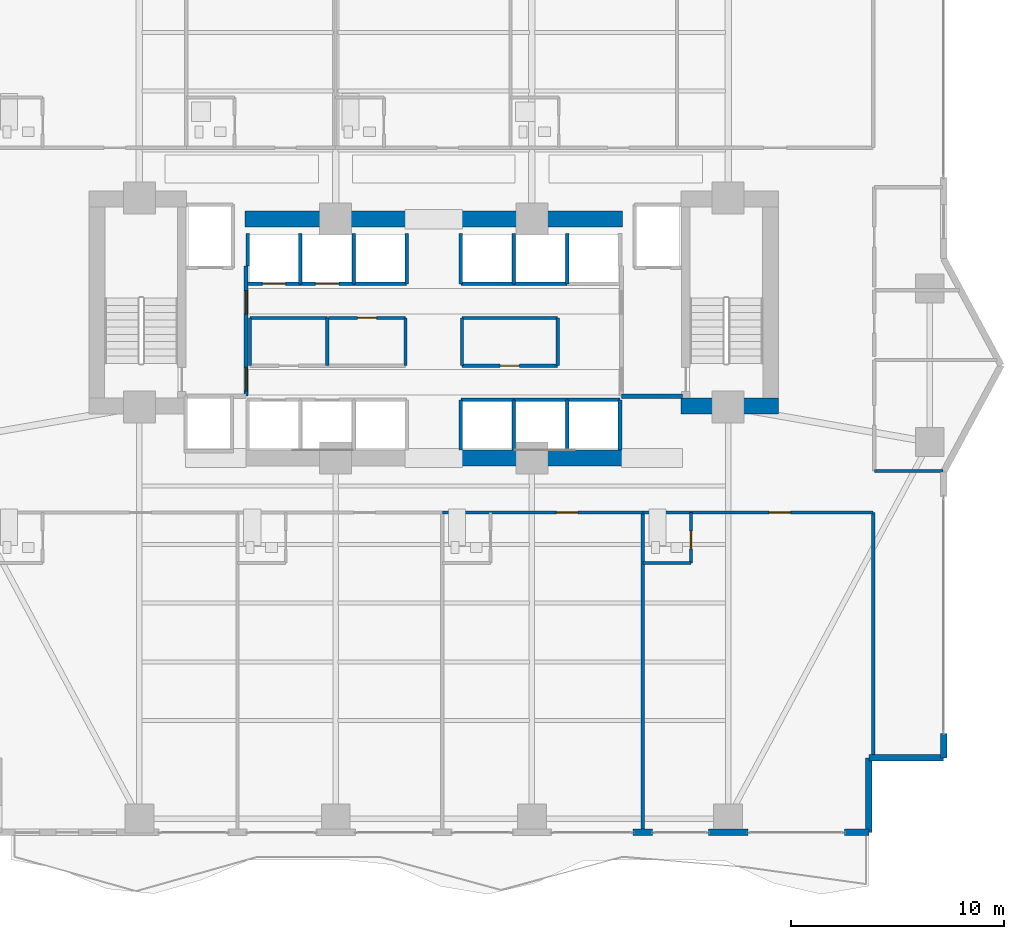
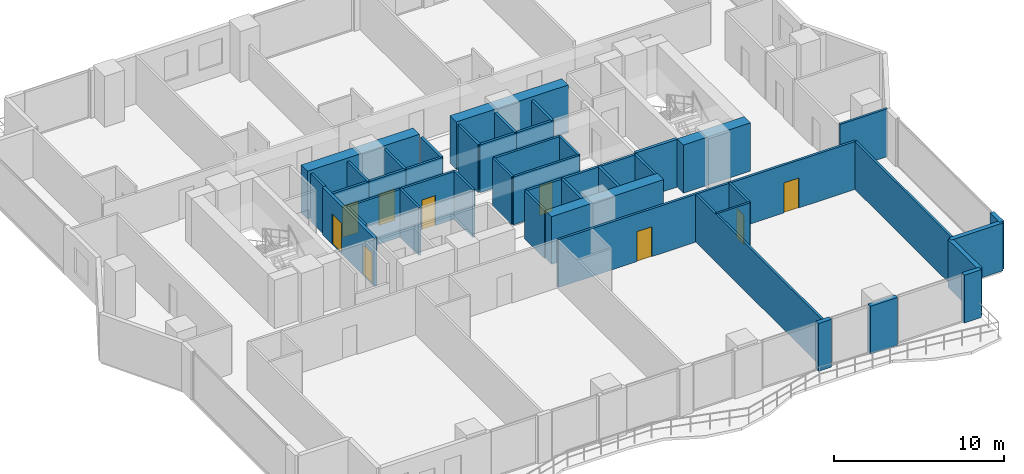
# One storey, part 21 of 27: 47 walls, 9 doors, 9 openings.
"""IFC4 building model written with IfcOpenShell, lengths in metres."""

from ifc_helpers import new_model, si_unit, direction, frame, frame_2d, origin, place, context, subcontext, project, spatial, rectangle, extrude, material, layer, layer_set, type_object, element, fill, save


model = new_model("IFC4")

# Units and contexts
model_context = context("Model", 3, precision=1e-05, world=origin(), true_north=direction((0.0, 1.0)))
body_context = subcontext(model_context, "Body", "Model", "MODEL_VIEW")
ifc_project = project(units=[si_unit("LENGTHUNIT", "METRE"), si_unit("AREAUNIT", "SQUARE_METRE"), si_unit("VOLUMEUNIT", "CUBIC_METRE"), si_unit("PLANEANGLEUNIT", "RADIAN"), si_unit("MASSUNIT", "GRAM", prefix="KILO")], contexts=[model_context])

# Site, building, storey
site_placement = place(None, origin())
site = spatial("IfcSite", under=ifc_project, at=site_placement, CompositionType="ELEMENT")
building_placement = place(site_placement, origin())
building = spatial("IfcBuilding", under=site, at=building_placement, Name="Zuhayl Quay Hotel", CompositionType="ELEMENT")
storey_placement = place(building_placement, frame((0.0, 0.0, 124.85009765625)))
storey = spatial("IfcBuildingStorey", under=building, at=storey_placement, Name="L31", CompositionType="ELEMENT", Elevation=124.85009765625)

# Walls
ifc_material_1 = material(Name="Concrete C60/75", Category="concrete")
ifc_layer_1 = layer(ifc_material_1, 0.75, Name="Concrete C60/75", Category="concrete")
ifc_layer_set_1 = layer_set([ifc_layer_1], Name="Concrete C60/75")
wall_type_1 = type_object("IfcWallType", Name="WL_CORE_750", PredefinedType="SHEAR", material=ifc_layer_set_1)
wall_1_placement = place(storey_placement, frame((11.60009765625, 4.594970703125, 0.0), z_axis=(0.0, 0.0, 1.0), x_axis=(1.0, 0.0, 0.0)))
element("IfcWall", 1, at=wall_1_placement, inside=storey, type_object=wall_type_1, Name="L31 Core Shear Wall CW_SE", PredefinedType="SHEAR", context=body_context, shape_type="SweptSolid", body=[
    extrude(rectangle(XDim=4.559814453125, YDim=0.75, at=frame_2d((2.27978515625, 0.0))), origin(), (0.0, 0.0, 1.0), 3.4599609375),
])
for number, where, z_axis, x_axis, name in (
    (2, (1.25, 2.14990234375, 0.0), (0.0, 0.0, 1.0), (1.0, 0.0, 0.0), "L31 Core Shear Wall CW_SC_E"),
    (3, (-8.85009765625, 13.35009765625, 0.0), (0.0, 0.0, 1.0), (1.0, 0.0, 0.0), "L31 Core Shear Wall CW_NC_W"),
    (4, (1.25, 13.35009765625, 0.0), (0.0, 0.0, 1.0), (1.0, 0.0, 0.0), "L31 Core Shear Wall CW_NC_E"),
):
    element("IfcWall", number, at=place(storey_placement, frame(where, z_axis=z_axis, x_axis=x_axis)), inside=storey, type_object=wall_type_1, Name=name, PredefinedType="SHEAR", context=body_context, shape_type="SweptSolid", body=[
        extrude(rectangle(XDim=7.60009765625, YDim=0.75, at=frame_2d((3.800048828125, 0.0))), origin(), (0.0, 0.0, 1.0), 3.429931640625),
    ])
ifc_material_2 = material(Name="Precast concrete C45/55", Category="concrete")
ifc_layer_2 = layer(ifc_material_2, 0.300048828125, Name="Precast concrete C45/55", Category="concrete")
ifc_layer_set_2 = layer_set([ifc_layer_2], Name="Precast concrete C45/55")
wall_type_2 = type_object("IfcWallType", Name="WL_EXT_300", PredefinedType="STANDARD", material=ifc_layer_set_2)
wall_2_placement = place(storey_placement, frame((23.89990234375, -10.75, 0.0), z_axis=(0.0, 0.0, 1.0), x_axis=(0.0, -1.0, 0.0)))
element("IfcWall", 5, at=wall_2_placement, inside=storey, type_object=wall_type_2, Name="L31 Exterior Precast Wall ENV_L31_E14_EW2", PredefinedType="STANDARD", context=body_context, shape_type="SweptSolid", body=[
    extrude(rectangle(XDim=1.14990234375, YDim=0.300048828125, at=frame_2d((0.574951171875, 0.0))), origin(), (0.0, 0.0, 1.0), 3.429931640625),
])
for number, where, z_axis, x_axis, name in (
    (6, (23.89990234375, -11.89990234375, 0.0), (0.0, 0.0, 1.0), (-1.0, 0.0, 0.0), "L31 Exterior Precast Wall ENV_L31_EW15"),
    (7, (20.39990234375, -11.89990234375, 0.0), (0.0, 0.0, 1.0), (0.0, -1.0, 0.0), "L31 Exterior Precast Wall ENV_L31_EW16"),
):
    element("IfcWall", number, at=place(storey_placement, frame(where, z_axis=z_axis, x_axis=x_axis)), inside=storey, type_object=wall_type_2, Name=name, PredefinedType="STANDARD", context=body_context, shape_type="SweptSolid", body=[
        extrude(rectangle(XDim=3.5, YDim=0.300048828125, at=frame_2d((1.75, 0.0))), origin(), (0.0, 0.0, 1.0), 3.429931640625),
    ])
wall_3_placement = place(storey_placement, frame((20.39990234375, -15.39990234375, 0.0), z_axis=(0.0, 0.0, 1.0), x_axis=(-1.0, 0.0, 0.0)))
element("IfcWall", 8, at=wall_3_placement, inside=storey, type_object=wall_type_2, Name="L31 Exterior Precast Wall ENV_L31_S_EW1", PredefinedType="STANDARD", context=body_context, shape_type="SweptSolid", body=[
    extrude(rectangle(XDim=1.14990234375, YDim=0.300048828125, at=frame_2d((0.574951171875, 0.0))), origin(), (0.0, 0.0, 1.0), 3.429931640625),
])
wall_4_placement = place(storey_placement, frame((14.719970703125, -15.39990234375, 0.0), z_axis=(0.0, 0.0, 1.0), x_axis=(-1.0, 0.0, 0.0)))
element("IfcWall", 9, at=wall_4_placement, inside=storey, type_object=wall_type_2, Name="L31 Exterior Precast Wall ENV_L31_S_EW2", PredefinedType="STANDARD", context=body_context, shape_type="SweptSolid", body=[
    extrude(rectangle(XDim=1.840087890625, YDim=0.300048828125, at=frame_2d((0.919921875, 0.0))), origin(), (0.0, 0.0, 1.0), 3.429931640625),
])
wall_5_placement = place(storey_placement, frame((10.25, -15.39990234375, 0.0), z_axis=(0.0, 0.0, 1.0), x_axis=(-1.0, 0.0, 0.0)))
element("IfcWall", 10, at=wall_5_placement, inside=storey, type_object=wall_type_2, Name="L31 Exterior Precast Wall ENV_L31_S_EW3", PredefinedType="STANDARD", context=body_context, shape_type="SweptSolid", body=[
    extrude(rectangle(XDim=0.89990234375, YDim=0.300048828125, at=frame_2d((0.449951171875, 0.0))), origin(), (0.0, 0.0, 1.0), 3.429931640625),
])

# Wall, opening, door
ifc_material_3 = material(Name="Acoustic Gypsum Partition STC-58")
ifc_layer_3 = layer(ifc_material_3, 0.14990234375, Name="Acoustic Gypsum Partition STC-58")
ifc_layer_set_3 = layer_set([ifc_layer_3], Name="Acoustic Gypsum Partition STC-58")
wall_type_3 = type_object("IfcWallType", Name="WL_PART_150", PredefinedType="PARTITIONING", material=ifc_layer_set_3)
wall_6_placement = place(storey_placement, frame((-4.929931640625, 8.719970703125, 0.0), z_axis=(0.0, 0.0, 1.0), x_axis=(1.0, 0.0, 0.0)))
wall_6 = element("IfcWall", 11, at=wall_6_placement, inside=storey, type_object=wall_type_3, Name="L31 Partition IW_L31_CORE_BM_N", PredefinedType="PARTITIONING", context=body_context, shape_type="SweptSolid", body=[
    extrude(rectangle(XDim=3.60986328125, YDim=0.14990234375, at=frame_2d((1.804931640625, 0.0))), origin(), (0.0, 0.0, 1.0), 3.429931640625),
])
opening_1_placement = place(wall_6_placement, frame((1.35498046875, 0.0, 0.0)))
opening_1 = element("IfcOpeningElement", 12, at=opening_1_placement, cuts=wall_6, Name="Opening D06", PredefinedType="OPENING", context=body_context, shape_type="SweptSolid", body=[
    extrude(rectangle(XDim=0.89990234375, YDim=2.14990234375, at=frame_2d((0.449951171875, 1.074951171875))), frame((0.0, 0.0849609375, 0.0), z_axis=(0.0, -1.0, 0.0), x_axis=(1.0, 0.0, 0.0)), (0.0, 0.0, 1.0), 0.169921875),
])
ifc_material_4 = material(Name="Steel ASTM A992 Grade 50", Category="steel")
door_type_1 = type_object("IfcDoorType", Name="DR_INT_900", OperationType="NOTDEFINED", PredefinedType="DOOR", material=ifc_material_4)
door_1_placement = place(opening_1_placement, origin())
door_1 = element("IfcDoor", 13, at=door_1_placement, inside=storey, type_object=door_type_1, Name="L31 Telecom and BMS Closet Door", OperationType="SINGLE_SWING_RIGHT", OverallHeight=2.14990234375, OverallWidth=0.89990234375, PredefinedType="DOOR", context=body_context, shape_type="SweptSolid", body=[
    extrude(rectangle(XDim=0.89990234375, YDim=2.14990234375, at=frame_2d((0.449951171875, 1.074951171875))), frame((0.0, 0.02490234375, 0.0), z_axis=(0.0, -1.0, 0.0), x_axis=(1.0, 0.0, 0.0)), (0.0, 0.0, 1.0), 0.050048828125),
])
fill(opening_1, door_1)

wall_7_placement = place(storey_placement, frame((1.320068359375, 6.47998046875, 0.0), z_axis=(0.0, 0.0, 1.0), x_axis=(1.0, 0.0, 0.0)))
wall_7 = element("IfcWall", 14, at=wall_7_placement, inside=storey, type_object=wall_type_3, Name="L31 Partition IW_L31_CORE_PN_S", PredefinedType="PARTITIONING", context=body_context, shape_type="SweptSolid", body=[
    extrude(rectangle(XDim=4.489990234375, YDim=0.14990234375, at=frame_2d((2.2451171875, 0.0))), origin(), (0.0, 0.0, 1.0), 3.429931640625),
])
opening_2_placement = place(wall_7_placement, frame((1.794921875, 0.0, 0.0)))
opening_2 = element("IfcOpeningElement", 15, at=opening_2_placement, cuts=wall_7, Name="Opening D06", PredefinedType="OPENING", context=body_context, shape_type="SweptSolid", body=[
    extrude(rectangle(XDim=0.89990234375, YDim=2.14990234375, at=frame_2d((0.449951171875, 1.074951171875))), frame((0.0, 0.0849609375, 0.0), z_axis=(0.0, -1.0, 0.0), x_axis=(1.0, 0.0, 0.0)), (0.0, 0.0, 1.0), 0.169921875),
])
door_2_placement = place(opening_2_placement, origin())
door_2 = element("IfcDoor", 16, at=door_2_placement, inside=storey, type_object=door_type_1, Name="L31 Core Ice and Pantry Room Door", OperationType="SINGLE_SWING_LEFT", OverallHeight=2.14990234375, OverallWidth=0.89990234375, PredefinedType="DOOR", context=body_context, shape_type="SweptSolid", body=[
    extrude(rectangle(XDim=0.89990234375, YDim=2.14990234375, at=frame_2d((0.449951171875, 1.074951171875))), frame((0.0, 0.02490234375, 0.0), z_axis=(0.0, -1.0, 0.0), x_axis=(1.0, 0.0, 0.0)), (0.0, 0.0, 1.0), 0.050048828125),
])
fill(opening_2, door_2)

# Walls
wall_8_placement = place(storey_placement, frame((-8.610107421875, 8.719970703125, 0.0), z_axis=(0.0, 0.0, 1.0), x_axis=(1.0, 0.0, 0.0)))
element("IfcWall", 17, at=wall_8_placement, inside=storey, type_object=wall_type_3, Name="L31 Partition IW_L31_CORE_SW_N", PredefinedType="PARTITIONING", context=body_context, shape_type="SweptSolid", body=[
    extrude(rectangle(XDim=3.6201171875, YDim=0.14990234375, at=frame_2d((1.81005859375, 0.0))), origin(), (0.0, 0.0, 1.0), 3.429931640625),
])
for number, where, z_axis, x_axis, name in (
    (18, (-8.610107421875, 6.47998046875, 0.0), (0.0, 0.0, 1.0), (0.0, 1.0, 0.0), "L31 Partition IW_L31_CORE_SW_W"),
    (19, (-4.989990234375, 6.47998046875, 0.0), (0.0, 0.0, 1.0), (0.0, 1.0, 0.0), "L31 Partition IW_L31_CORE_SW_E"),
    (20, (-1.320068359375, 6.47998046875, 0.0), (0.0, 0.0, 1.0), (0.0, 1.0, 0.0), "L31 Partition IW_L31_CORE_BM_E"),
):
    element("IfcWall", number, at=place(storey_placement, frame(where, z_axis=z_axis, x_axis=x_axis)), inside=storey, type_object=wall_type_3, Name=name, PredefinedType="PARTITIONING", context=body_context, shape_type="SweptSolid", body=[
        extrude(rectangle(XDim=2.239990234375, YDim=0.14990234375, at=frame_2d((1.1201171875, 0.0))), origin(), (0.0, 0.0, 1.0), 3.429931640625),
    ])
wall_9_placement = place(storey_placement, frame((1.320068359375, 8.719970703125, 0.0), z_axis=(0.0, 0.0, 1.0), x_axis=(1.0, 0.0, 0.0)))
element("IfcWall", 21, at=wall_9_placement, inside=storey, type_object=wall_type_3, Name="L31 Partition IW_L31_CORE_PN_N", PredefinedType="PARTITIONING", context=body_context, shape_type="SweptSolid", body=[
    extrude(rectangle(XDim=4.489990234375, YDim=0.14990234375, at=frame_2d((2.2451171875, 0.0))), origin(), (0.0, 0.0, 1.0), 3.429931640625),
])
for number, where, z_axis, x_axis, name in (
    (22, (1.320068359375, 6.47998046875, 0.0), (0.0, 0.0, 1.0), (0.0, 1.0, 0.0), "L31 Partition IW_L31_CORE_PN_W"),
    (23, (5.81005859375, 6.47998046875, 0.0), (0.0, 0.0, 1.0), (0.0, 1.0, 0.0), "L31 Partition IW_L31_CORE_PN_E"),
):
    element("IfcWall", number, at=place(storey_placement, frame(where, z_axis=z_axis, x_axis=x_axis)), inside=storey, type_object=wall_type_3, Name=name, PredefinedType="PARTITIONING", context=body_context, shape_type="SweptSolid", body=[
        extrude(rectangle(XDim=2.239990234375, YDim=0.14990234375, at=frame_2d((1.1201171875, 0.0))), origin(), (0.0, 0.0, 1.0), 3.429931640625),
    ])
wall_10_placement = place(storey_placement, frame((9.800048828125, -15.320068359375, 0.0), z_axis=(0.0, 0.0, 1.0), x_axis=(0.0, 1.0, 0.0)))
element("IfcWall", 24, at=wall_10_placement, inside=storey, type_object=wall_type_3, Name="L31 Partition IW_L31_SU03_E", PredefinedType="PARTITIONING", context=body_context, shape_type="SweptSolid", body=[
    extrude(rectangle(XDim=14.920166015625, YDim=0.14990234375, at=frame_2d((7.4599609375, 0.0))), origin(), (0.0, 0.0, 1.0), 3.429931640625),
])
wall_11_placement = place(storey_placement, frame((20.60009765625, -11.89990234375, 0.0), z_axis=(0.0, 0.0, 1.0), x_axis=(0.0, 1.0, 0.0)))
element("IfcWall", 25, at=wall_11_placement, inside=storey, type_object=wall_type_3, Name="L31 Partition IW_L31_SU04_E", PredefinedType="PARTITIONING", context=body_context, shape_type="SweptSolid", body=[
    extrude(rectangle(XDim=11.5, YDim=0.14990234375, at=frame_2d((5.75, 0.0))), origin(), (0.0, 0.0, 1.0), 3.429931640625),
])
wall_12_placement = place(storey_placement, frame((20.64990234375, 1.550048828125, 0.0), z_axis=(0.0, 0.0, 1.0), x_axis=(1.0, 0.0, 0.0)))
element("IfcWall", 26, at=wall_12_placement, inside=storey, type_object=wall_type_3, Name="L31 Partition IW_L31_HK_MAIN_S", PredefinedType="PARTITIONING", context=body_context, shape_type="SweptSolid", body=[
    extrude(rectangle(XDim=3.217041015625, YDim=0.14990234375, at=frame_2d((1.6083984375, 0.0))), origin(), (0.0, 0.0, 1.0), 3.429931640625),
])

# Wall, opening, door
ifc_layer_4 = layer(ifc_material_3, 0.159912109375, Name="Acoustic Gypsum Partition STC-58")
ifc_layer_set_4 = layer_set([ifc_layer_4], Name="Acoustic Gypsum Partition STC-58")
wall_type_4 = type_object("IfcWallType", Name="WL_PART_CORR_160", PredefinedType="PARTITIONING", material=ifc_layer_set_4)
wall_13_placement = place(storey_placement, frame((0.39990234375, -0.39990234375, 0.0), z_axis=(0.0, 0.0, 1.0), x_axis=(1.0, 0.0, 0.0)))
wall_13 = element("IfcWall", 27, at=wall_13_placement, inside=storey, type_object=wall_type_4, Name="L31 Partition IW_L31_SU03_COR", PredefinedType="PARTITIONING", context=body_context, shape_type="SweptSolid", body=[
    extrude(rectangle(XDim=9.400146484375, YDim=0.159912109375, at=frame_2d((4.7001953125, 0.0))), origin(), (0.0, 0.0, 1.0), 3.429931640625),
])
opening_3_placement = place(wall_13_placement, frame((5.35009765625, 0.0, 0.0)))
opening_3 = element("IfcOpeningElement", 28, at=opening_3_placement, cuts=wall_13, Name="Opening D03L", PredefinedType="OPENING", context=body_context, shape_type="SweptSolid", body=[
    extrude(rectangle(XDim=1.0, YDim=2.14990234375, at=frame_2d((0.5, 1.074951171875))), frame((0.0, 0.08984375, 0.0), z_axis=(0.0, -1.0, 0.0), x_axis=(1.0, 0.0, 0.0)), (0.0, 0.0, 1.0), 0.179931640625),
])
ifc_material_5 = material(Name="Solid Walnut Acoustic Fire Door")
door_type_2 = type_object("IfcDoorType", Name="DR_SUITE_1000", OperationType="NOTDEFINED", PredefinedType="DOOR", material=ifc_material_5)
door_3_placement = place(opening_3_placement, origin())
door_3 = element("IfcDoor", 29, at=door_3_placement, inside=storey, type_object=door_type_2, Name="L31 City-View Junior Suite L31-03 Entrance Door", OperationType="SINGLE_SWING_RIGHT", OverallHeight=2.14990234375, OverallWidth=1.0, PredefinedType="DOOR", context=body_context, shape_type="SweptSolid", body=[
    extrude(rectangle(XDim=1.0, YDim=2.14990234375, at=frame_2d((0.5, 1.074951171875))), frame((0.0, 0.02490234375, 0.0), z_axis=(0.0, -1.0, 0.0), x_axis=(1.0, 0.0, 0.0)), (0.0, 0.0, 1.0), 0.050048828125),
])
fill(opening_3, door_3)

wall_14_placement = place(storey_placement, frame((9.800048828125, -0.39990234375, 0.0), z_axis=(0.0, 0.0, 1.0), x_axis=(1.0, 0.0, 0.0)))
wall_14 = element("IfcWall", 30, at=wall_14_placement, inside=storey, type_object=wall_type_4, Name="L31 Partition IW_L31_SU04_COR", PredefinedType="PARTITIONING", context=body_context, shape_type="SweptSolid", body=[
    extrude(rectangle(XDim=10.800048828125, YDim=0.159912109375, at=frame_2d((5.39990234375, 0.0))), origin(), (0.0, 0.0, 1.0), 3.429931640625),
])
opening_4_placement = place(wall_14_placement, frame((5.925048828125, 0.0, 0.0)))
opening_4 = element("IfcOpeningElement", 31, at=opening_4_placement, cuts=wall_14, Name="Opening D03L", PredefinedType="OPENING", context=body_context, shape_type="SweptSolid", body=[
    extrude(rectangle(XDim=1.0, YDim=2.14990234375, at=frame_2d((0.5, 1.074951171875))), frame((0.0, 0.08984375, 0.0), z_axis=(0.0, -1.0, 0.0), x_axis=(1.0, 0.0, 0.0)), (0.0, 0.0, 1.0), 0.179931640625),
])
door_4_placement = place(opening_4_placement, origin())
door_4 = element("IfcDoor", 32, at=door_4_placement, inside=storey, type_object=door_type_2, Name="L31 City-View Junior Suite L31-04 Entrance Door", OperationType="SINGLE_SWING_RIGHT", OverallHeight=2.14990234375, OverallWidth=1.0, PredefinedType="DOOR", context=body_context, shape_type="SweptSolid", body=[
    extrude(rectangle(XDim=1.0, YDim=2.14990234375, at=frame_2d((0.5, 1.074951171875))), frame((0.0, 0.02490234375, 0.0), z_axis=(0.0, -1.0, 0.0), x_axis=(1.0, 0.0, 0.0)), (0.0, 0.0, 1.0), 0.050048828125),
])
fill(opening_4, door_4)

ifc_material_6 = material(Name="Moisture-Resistant Sanitarychase Gypsum")
ifc_layer_5 = layer(ifc_material_6, 0.135009765625, Name="Moisture-Resistant Sanitarychase Gypsum")
ifc_layer_set_5 = layer_set([ifc_layer_5], Name="Moisture-Resistant Sanitarychase Gypsum")
wall_type_5 = type_object("IfcWallType", Name="WL_PART_PLUMB_150", PredefinedType="PLUMBINGWALL", material=ifc_layer_set_5)
wall_15_placement = place(storey_placement, frame((12.06005859375, -2.760009765625, 0.0), z_axis=(0.0, 0.0, 1.0), x_axis=(0.0, 1.0, 0.0)))
wall_15 = element("IfcWall", 33, at=wall_15_placement, inside=storey, type_object=wall_type_5, Name="L31 Partition IW_L31_SU04_BE", PredefinedType="PLUMBINGWALL", context=body_context, shape_type="SweptSolid", body=[
    extrude(rectangle(XDim=2.360107421875, YDim=0.135009765625, at=frame_2d((1.18017578125, 0.0))), origin(), (0.0, 0.0, 1.0), 3.429931640625),
])
opening_5_placement = place(wall_15_placement, frame((0.64990234375, 0.0, 0.0)))
opening_5 = element("IfcOpeningElement", 34, at=opening_5_placement, cuts=wall_15, Name="Opening D04", PredefinedType="OPENING", context=body_context, shape_type="SweptSolid", body=[
    extrude(rectangle(XDim=0.85009765625, YDim=2.10009765625, at=frame_2d((0.425048828125, 1.050048828125))), frame((0.0, 0.077392578125, 0.0), z_axis=(0.0, -1.0, 0.0), x_axis=(1.0, 0.0, 0.0)), (0.0, 0.0, 1.0), 0.155029296875),
])
ifc_material_7 = material(Name="Moisture-Resistant Walnut Veneer")
door_type_3 = type_object("IfcDoorType", Name="DR_BATH_850", OperationType="NOTDEFINED", PredefinedType="DOOR", material=ifc_material_7)
door_5_placement = place(opening_5_placement, origin())
door_5 = element("IfcDoor", 35, at=door_5_placement, inside=storey, type_object=door_type_3, Name="L31 City-View Junior Suite L31-04 En-Suite Door", OperationType="SINGLE_SWING_LEFT", OverallHeight=2.10009765625, OverallWidth=0.85009765625, PredefinedType="DOOR", context=body_context, shape_type="SweptSolid", body=[
    extrude(rectangle(XDim=0.85009765625, YDim=2.10009765625, at=frame_2d((0.425048828125, 1.050048828125))), frame((0.0, 0.02490234375, 0.0), z_axis=(0.0, -1.0, 0.0), x_axis=(1.0, 0.0, 0.0)), (0.0, 0.0, 1.0), 0.050048828125),
])
fill(opening_5, door_5)

# Wall
wall_16_placement = place(storey_placement, frame((9.800048828125, -2.760009765625, 0.0), z_axis=(0.0, 0.0, 1.0), x_axis=(1.0, 0.0, 0.0)))
element("IfcWall", 36, at=wall_16_placement, inside=storey, type_object=wall_type_5, Name="L31 Partition IW_L31_SU04_BS", PredefinedType="PLUMBINGWALL", context=body_context, shape_type="SweptSolid", body=[
    extrude(rectangle(XDim=2.260009765625, YDim=0.135009765625, at=frame_2d((1.1298828125, 0.0))), origin(), (0.0, 0.0, 1.0), 3.429931640625),
])

# Wall, opening, door
ifc_material_8 = material(Name="Gypsum Fireboard Assembly EI-90")
ifc_layer_6 = layer(ifc_material_8, 0.1650390625, Name="Gypsum Fireboard Assembly EI-90")
ifc_layer_set_6 = layer_set([ifc_layer_6], Name="Gypsum Fireboard Assembly EI-90")
wall_type_6 = type_object("IfcWallType", Name="WL_PART_SHAFT_160", PredefinedType="PARTITIONING", material=ifc_layer_set_6)
wall_17_placement = place(storey_placement, frame((-8.72998046875, 10.320068359375, 0.0), z_axis=(0.0, 0.0, 1.0), x_axis=(1.0, 0.0, 0.0)))
wall_17 = element("IfcWall", 37, at=wall_17_placement, inside=storey, type_object=wall_type_6, Name="L31 Partition IW_L31_SH_LP3_F", PredefinedType="PARTITIONING", context=body_context, shape_type="SweptSolid", body=[
    extrude(rectangle(XDim=2.47998046875, YDim=0.1650390625, at=frame_2d((1.239990234375, 0.0))), origin(), (0.0, 0.0, 1.0), 3.429931640625),
])
opening_6_placement = place(wall_17_placement, frame((0.68994140625, 0.0, 0.0)))
opening_6 = element("IfcOpeningElement", 38, at=opening_6_placement, cuts=wall_17, Name="Opening LD1", PredefinedType="OPENING", context=body_context, shape_type="SweptSolid", body=[
    extrude(rectangle(XDim=1.10009765625, YDim=2.25, at=frame_2d((0.550048828125, 1.125))), frame((0.0, 0.092529296875, 0.0), z_axis=(0.0, -1.0, 0.0), x_axis=(1.0, 0.0, 0.0)), (0.0, 0.0, 1.0), 0.18505859375),
])
ifc_material_9 = material(Name="Brushed Stainless Steel", Category="steel")
door_type_4 = type_object("IfcDoorType", Name="DR_LIFT_PASS_1100", OperationType="SLIDING_TO_LEFT", PredefinedType="DOOR", material=ifc_material_9)
door_6_placement = place(opening_6_placement, origin())
door_6 = element("IfcDoor", 39, at=door_6_placement, inside=storey, type_object=door_type_4, Name="L31 Lift LP3 Sliding Landing Door", OperationType="SLIDING_TO_LEFT", OverallHeight=2.25, OverallWidth=1.10009765625, PredefinedType="DOOR", context=body_context, shape_type="SweptSolid", body=[
    extrude(rectangle(XDim=1.10009765625, YDim=2.25, at=frame_2d((0.550048828125, 1.125))), frame((0.0, 0.02490234375, 0.0), z_axis=(0.0, -1.0, 0.0), x_axis=(1.0, 0.0, 0.0)), (0.0, 0.0, 1.0), 0.050048828125),
])
fill(opening_6, door_6)

wall_18_placement = place(storey_placement, frame((-6.25, 10.320068359375, 0.0), z_axis=(0.0, 0.0, 1.0), x_axis=(1.0, 0.0, 0.0)))
wall_18 = element("IfcWall", 40, at=wall_18_placement, inside=storey, type_object=wall_type_6, Name="L31 Partition IW_L31_SH_LP4_F", PredefinedType="PARTITIONING", context=body_context, shape_type="SweptSolid", body=[
    extrude(rectangle(XDim=2.5, YDim=0.1650390625, at=frame_2d((1.25, 0.0))), origin(), (0.0, 0.0, 1.0), 3.429931640625),
])
opening_7_placement = place(wall_18_placement, frame((0.699951171875, 0.0, 0.0)))
opening_7 = element("IfcOpeningElement", 41, at=opening_7_placement, cuts=wall_18, Name="Opening LD1", PredefinedType="OPENING", context=body_context, shape_type="SweptSolid", body=[
    extrude(rectangle(XDim=1.10009765625, YDim=2.25, at=frame_2d((0.550048828125, 1.125))), frame((0.0, 0.092529296875, 0.0), z_axis=(0.0, -1.0, 0.0), x_axis=(1.0, 0.0, 0.0)), (0.0, 0.0, 1.0), 0.18505859375),
])
door_7_placement = place(opening_7_placement, origin())
door_7 = element("IfcDoor", 42, at=door_7_placement, inside=storey, type_object=door_type_4, Name="L31 Lift LP4 Sliding Landing Door", OperationType="SLIDING_TO_LEFT", OverallHeight=2.25, OverallWidth=1.10009765625, PredefinedType="DOOR", context=body_context, shape_type="SweptSolid", body=[
    extrude(rectangle(XDim=1.10009765625, YDim=2.25, at=frame_2d((0.550048828125, 1.125))), frame((0.0, 0.02490234375, 0.0), z_axis=(0.0, -1.0, 0.0), x_axis=(1.0, 0.0, 0.0)), (0.0, 0.0, 1.0), 0.050048828125),
])
fill(opening_7, door_7)

# Walls
wall_19_placement = place(storey_placement, frame((-8.72998046875, 11.14990234375, 0.0), z_axis=(0.0, 0.0, 1.0), x_axis=(0.0, 1.0, 0.0)))
element("IfcWall", 43, at=wall_19_placement, inside=storey, type_object=wall_type_6, Name="L31 Partition IW_L31_SH_LP3_W", PredefinedType="PARTITIONING", context=body_context, shape_type="SweptSolid", body=[
    extrude(rectangle(XDim=1.530029296875, YDim=0.1650390625, at=frame_2d((0.76513671875, 0.0))), origin(), (0.0, 0.0, 1.0), 3.429931640625),
])
for number, where, z_axis, x_axis, name in (
    (44, (-6.25, 10.320068359375, 0.0), (0.0, 0.0, 1.0), (0.0, 1.0, 0.0), "L31 Partition IW_L31_SH_LP3_E"),
    (45, (-3.75, 10.320068359375, 0.0), (0.0, 0.0, 1.0), (0.0, 1.0, 0.0), "L31 Partition IW_L31_SH_LP4_E"),
):
    element("IfcWall", number, at=place(storey_placement, frame(where, z_axis=z_axis, x_axis=x_axis)), inside=storey, type_object=wall_type_6, Name=name, PredefinedType="PARTITIONING", context=body_context, shape_type="SweptSolid", body=[
        extrude(rectangle(XDim=2.35986328125, YDim=0.1650390625, at=frame_2d((1.179931640625, 0.0))), origin(), (0.0, 0.0, 1.0), 3.429931640625),
    ])
wall_20_placement = place(storey_placement, frame((1.27001953125, 4.8798828125, 0.0), z_axis=(0.0, 0.0, 1.0), x_axis=(1.0, 0.0, 0.0)))
element("IfcWall", 46, at=wall_20_placement, inside=storey, type_object=wall_type_6, Name="L31 Partition IW_L31_SH_MP2_F", PredefinedType="PARTITIONING", context=body_context, shape_type="SweptSolid", body=[
    extrude(rectangle(XDim=2.47998046875, YDim=0.1650390625, at=frame_2d((1.239990234375, 0.0))), origin(), (0.0, 0.0, 1.0), 3.429931640625),
])
for number, where, z_axis, x_axis, name in (
    (47, (1.27001953125, 2.52001953125, 0.0), (0.0, 0.0, 1.0), (0.0, 1.0, 0.0), "L31 Partition IW_L31_SH_MP2_W"),
    (48, (3.75, 2.52001953125, 0.0), (0.0, 0.0, 1.0), (0.0, 1.0, 0.0), "L31 Partition IW_L31_SH_MP2_E"),
):
    element("IfcWall", number, at=place(storey_placement, frame(where, z_axis=z_axis, x_axis=x_axis)), inside=storey, type_object=wall_type_6, Name=name, PredefinedType="PARTITIONING", context=body_context, shape_type="SweptSolid", body=[
        extrude(rectangle(XDim=2.35986328125, YDim=0.1650390625, at=frame_2d((1.179931640625, 0.0))), origin(), (0.0, 0.0, 1.0), 3.429931640625),
    ])
wall_21_placement = place(storey_placement, frame((-3.75, 10.320068359375, 0.0), z_axis=(0.0, 0.0, 1.0), x_axis=(1.0, 0.0, 0.0)))
element("IfcWall", 49, at=wall_21_placement, inside=storey, type_object=wall_type_6, Name="L31 Partition IW_L31_SH_MP3_F", PredefinedType="PARTITIONING", context=body_context, shape_type="SweptSolid", body=[
    extrude(rectangle(XDim=2.47998046875, YDim=0.1650390625, at=frame_2d((1.239990234375, 0.0))), origin(), (0.0, 0.0, 1.0), 3.429931640625),
])
wall_22_placement = place(storey_placement, frame((-1.27001953125, 10.320068359375, 0.0), z_axis=(0.0, 0.0, 1.0), x_axis=(0.0, 1.0, 0.0)))
element("IfcWall", 50, at=wall_22_placement, inside=storey, type_object=wall_type_6, Name="L31 Partition IW_L31_SH_MP3_E", PredefinedType="PARTITIONING", context=body_context, shape_type="SweptSolid", body=[
    extrude(rectangle(XDim=2.35986328125, YDim=0.1650390625, at=frame_2d((1.179931640625, 0.0))), origin(), (0.0, 0.0, 1.0), 3.429931640625),
])
wall_23_placement = place(storey_placement, frame((1.27001953125, 10.320068359375, 0.0), z_axis=(0.0, 0.0, 1.0), x_axis=(1.0, 0.0, 0.0)))
element("IfcWall", 51, at=wall_23_placement, inside=storey, type_object=wall_type_6, Name="L31 Partition IW_L31_SH_MP4_F", PredefinedType="PARTITIONING", context=body_context, shape_type="SweptSolid", body=[
    extrude(rectangle(XDim=2.47998046875, YDim=0.1650390625, at=frame_2d((1.239990234375, 0.0))), origin(), (0.0, 0.0, 1.0), 3.429931640625),
])
for number, where, z_axis, x_axis, name in (
    (52, (1.27001953125, 10.320068359375, 0.0), (0.0, 0.0, 1.0), (0.0, 1.0, 0.0), "L31 Partition IW_L31_SH_MP4_W"),
    (53, (3.75, 10.320068359375, 0.0), (0.0, 0.0, 1.0), (0.0, 1.0, 0.0), "L31 Partition IW_L31_SH_MP4_E"),
):
    element("IfcWall", number, at=place(storey_placement, frame(where, z_axis=z_axis, x_axis=x_axis)), inside=storey, type_object=wall_type_6, Name=name, PredefinedType="PARTITIONING", context=body_context, shape_type="SweptSolid", body=[
        extrude(rectangle(XDim=2.35986328125, YDim=0.1650390625, at=frame_2d((1.179931640625, 0.0))), origin(), (0.0, 0.0, 1.0), 3.429931640625),
    ])
wall_24_placement = place(storey_placement, frame((3.75, 4.8798828125, 0.0), z_axis=(0.0, 0.0, 1.0), x_axis=(1.0, 0.0, 0.0)))
element("IfcWall", 54, at=wall_24_placement, inside=storey, type_object=wall_type_6, Name="L31 Partition IW_L31_SH_HP1_F", PredefinedType="PARTITIONING", context=body_context, shape_type="SweptSolid", body=[
    extrude(rectangle(XDim=2.5, YDim=0.1650390625, at=frame_2d((1.25, 0.0))), origin(), (0.0, 0.0, 1.0), 3.429931640625),
])
wall_25_placement = place(storey_placement, frame((6.25, 2.52001953125, 0.0), z_axis=(0.0, 0.0, 1.0), x_axis=(0.0, 1.0, 0.0)))
element("IfcWall", 55, at=wall_25_placement, inside=storey, type_object=wall_type_6, Name="L31 Partition IW_L31_SH_HP1_E", PredefinedType="PARTITIONING", context=body_context, shape_type="SweptSolid", body=[
    extrude(rectangle(XDim=2.35986328125, YDim=0.1650390625, at=frame_2d((1.179931640625, 0.0))), origin(), (0.0, 0.0, 1.0), 3.429931640625),
])
wall_26_placement = place(storey_placement, frame((6.25, 4.8798828125, 0.0), z_axis=(0.0, 0.0, 1.0), x_axis=(1.0, 0.0, 0.0)))
element("IfcWall", 56, at=wall_26_placement, inside=storey, type_object=wall_type_6, Name="L31 Partition IW_L31_SH_HP2_F", PredefinedType="PARTITIONING", context=body_context, shape_type="SweptSolid", body=[
    extrude(rectangle(XDim=2.47998046875, YDim=0.1650390625, at=frame_2d((1.239990234375, 0.0))), origin(), (0.0, 0.0, 1.0), 3.429931640625),
])
wall_27_placement = place(storey_placement, frame((8.72998046875, 2.52001953125, 0.0), z_axis=(0.0, 0.0, 1.0), x_axis=(0.0, 1.0, 0.0)))
element("IfcWall", 57, at=wall_27_placement, inside=storey, type_object=wall_type_6, Name="L31 Partition IW_L31_SH_HP2_E", PredefinedType="PARTITIONING", context=body_context, shape_type="SweptSolid", body=[
    extrude(rectangle(XDim=2.35986328125, YDim=0.1650390625, at=frame_2d((1.179931640625, 0.0))), origin(), (0.0, 0.0, 1.0), 3.429931640625),
])
wall_28_placement = place(storey_placement, frame((3.75, 10.320068359375, 0.0), z_axis=(0.0, 0.0, 1.0), x_axis=(1.0, 0.0, 0.0)))
element("IfcWall", 58, at=wall_28_placement, inside=storey, type_object=wall_type_6, Name="L31 Partition IW_L31_SH_HP3_F", PredefinedType="PARTITIONING", context=body_context, shape_type="SweptSolid", body=[
    extrude(rectangle(XDim=2.5, YDim=0.1650390625, at=frame_2d((1.25, 0.0))), origin(), (0.0, 0.0, 1.0), 3.429931640625),
])
wall_29_placement = place(storey_placement, frame((6.25, 10.320068359375, 0.0), z_axis=(0.0, 0.0, 1.0), x_axis=(0.0, 1.0, 0.0)))
element("IfcWall", 59, at=wall_29_placement, inside=storey, type_object=wall_type_6, Name="L31 Partition IW_L31_SH_HP3_E", PredefinedType="PARTITIONING", context=body_context, shape_type="SweptSolid", body=[
    extrude(rectangle(XDim=2.35986328125, YDim=0.1650390625, at=frame_2d((1.179931640625, 0.0))), origin(), (0.0, 0.0, 1.0), 3.429931640625),
])

# Wall, openings, doors
ifc_material_10 = material(Name="Gypsum Fireboard Assembly EI-120")
ifc_layer_7 = layer(ifc_material_10, 0.199951171875, Name="Gypsum Fireboard Assembly EI-120")
ifc_layer_set_7 = layer_set([ifc_layer_7], Name="Gypsum Fireboard Assembly EI-120")
wall_type_7 = type_object("IfcWallType", Name="WL_PART_SHAFT_200", PredefinedType="PARTITIONING", material=ifc_layer_set_7)
wall_30_placement = place(storey_placement, frame((-8.800048828125, 5.050048828125, 0.0), z_axis=(0.0, 0.0, 1.0), x_axis=(0.0, 1.0, 0.0)))
wall_30 = element("IfcWall", 60, at=wall_30_placement, inside=storey, type_object=wall_type_7, Name="L31 Partition IW_L31_FSAE_W_E", PredefinedType="PARTITIONING", context=body_context, shape_type="SweptSolid", body=[
    extrude(rectangle(XDim=6.099853515625, YDim=0.199951171875, at=frame_2d((3.0498046875, 0.0))), origin(), (0.0, 0.0, 1.0), 3.429931640625),
])
opening_8_placement = place(wall_30_placement, frame((0.25, 0.0, 0.0)))
opening_8 = element("IfcOpeningElement", 61, at=opening_8_placement, cuts=wall_30, Name="Opening D02", PredefinedType="OPENING", context=body_context, shape_type="SweptSolid", body=[
    extrude(rectangle(XDim=1.10009765625, YDim=2.199951171875, at=frame_2d((0.550048828125, 1.10009765625))), frame((0.0, 0.10986328125, 0.0), z_axis=(0.0, -1.0, 0.0), x_axis=(1.0, 0.0, 0.0)), (0.0, 0.0, 1.0), 0.219970703125),
])
opening_9_placement = place(wall_30_placement, frame((3.85009765625, 0.0, 0.0)))
opening_9 = element("IfcOpeningElement", 62, at=opening_9_placement, cuts=wall_30, Name="Opening D02", PredefinedType="OPENING", context=body_context, shape_type="SweptSolid", body=[
    extrude(rectangle(XDim=1.10009765625, YDim=2.199951171875, at=frame_2d((0.550048828125, 1.10009765625))), frame((0.0, 0.10986328125, 0.0), z_axis=(0.0, -1.0, 0.0), x_axis=(1.0, 0.0, 0.0)), (0.0, 0.0, 1.0), 0.219970703125),
])
door_type_5 = type_object("IfcDoorType", Name="DR_FIRE_90_1100", OperationType="NOTDEFINED", PredefinedType="DOOR", material=ifc_material_4)
door_8_placement = place(opening_8_placement, origin())
door_8 = element("IfcDoor", 63, at=door_8_placement, inside=storey, type_object=door_type_5, Name="L31 FSAE Lobby West South Entry Door", OperationType="SINGLE_SWING_LEFT", OverallHeight=2.199951171875, OverallWidth=1.10009765625, PredefinedType="DOOR", context=body_context, shape_type="SweptSolid", body=[
    extrude(rectangle(XDim=1.10009765625, YDim=2.199951171875, at=frame_2d((0.550048828125, 1.10009765625))), frame((0.0, 0.02490234375, 0.0), z_axis=(0.0, -1.0, 0.0), x_axis=(1.0, 0.0, 0.0)), (0.0, 0.0, 1.0), 0.050048828125),
])
fill(opening_8, door_8)
door_9_placement = place(opening_9_placement, origin())
door_9 = element("IfcDoor", 64, at=door_9_placement, inside=storey, type_object=door_type_5, Name="L31 FSAE Lobby West North Entry Door", OperationType="SINGLE_SWING_RIGHT", OverallHeight=2.199951171875, OverallWidth=1.10009765625, PredefinedType="DOOR", context=body_context, shape_type="SweptSolid", body=[
    extrude(rectangle(XDim=1.10009765625, YDim=2.199951171875, at=frame_2d((0.550048828125, 1.10009765625))), frame((0.0, 0.02490234375, 0.0), z_axis=(0.0, -1.0, 0.0), x_axis=(1.0, 0.0, 0.0)), (0.0, 0.0, 1.0), 0.050048828125),
])
fill(opening_9, door_9)

# Wall
wall_31_placement = place(storey_placement, frame((8.800048828125, 5.050048828125, 0.0), z_axis=(0.0, 0.0, 1.0), x_axis=(1.0, 0.0, 0.0)))
element("IfcWall", 65, at=wall_31_placement, inside=storey, type_object=wall_type_7, Name="L31 Partition IW_L31_FSAE_E_S", PredefinedType="PARTITIONING", context=body_context, shape_type="SweptSolid", body=[
    extrude(rectangle(XDim=2.849853515625, YDim=0.199951171875, at=frame_2d((1.4248046875, 0.0))), origin(), (0.0, 0.0, 1.0), 3.429931640625),
])

save(model, "model.ifc")
